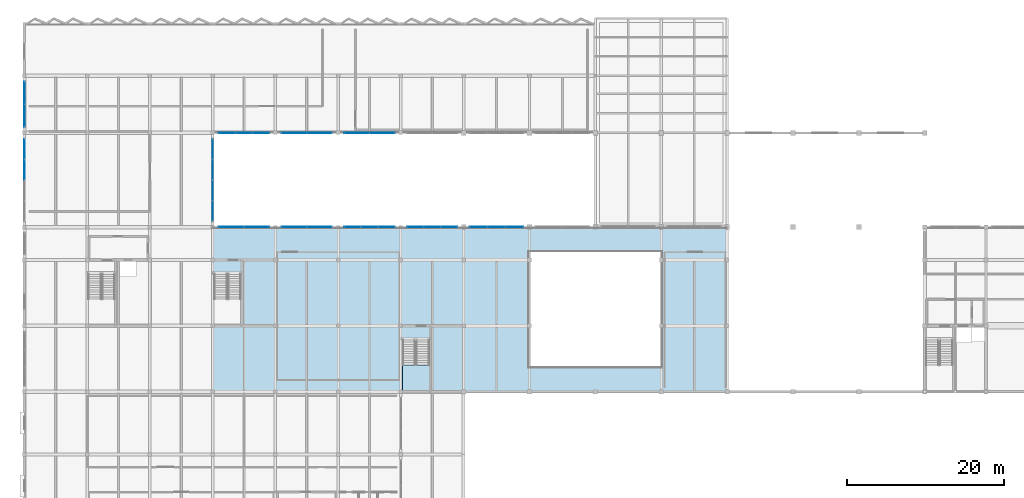
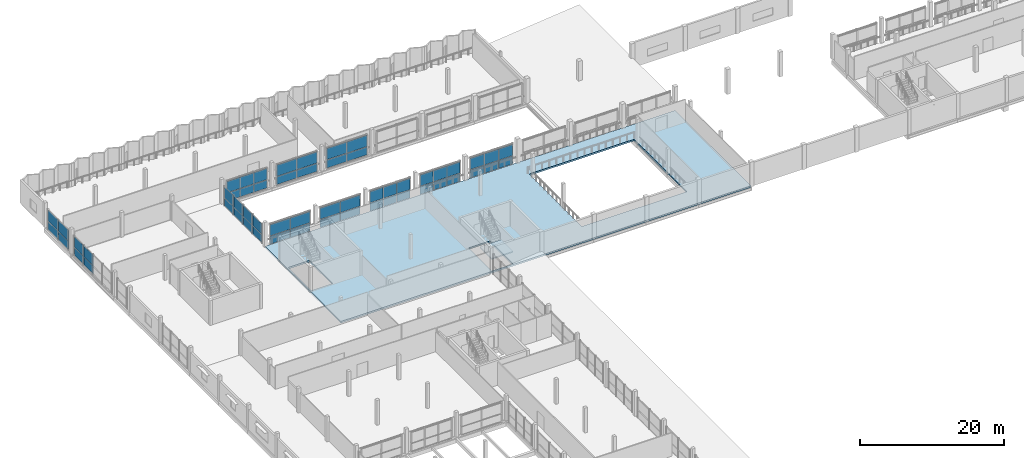
# One storey, part 34 of 53: 56 plates, 2 slabs, 12 elements without a shape of their own.
"""IFC4 building model written with IfcOpenShell, lengths in metres."""

from ifc_helpers import new_model, si_unit, direction, frame, origin, origin_2d, place, context, subcontext, project, spatial, polyline, rectangle, outline, extrude, material, layer, layer_set, type_object, element, aggregate, save


model = new_model("IFC4")

# Units and contexts
model_context = context("Model", 3, precision=1e-05, world=origin(), true_north=direction((0.0, 1.0)))
body_context = subcontext(model_context, "Body", "Model", "MODEL_VIEW")
ifc_project = project(units=[si_unit("LENGTHUNIT", "METRE"), si_unit("AREAUNIT", "SQUARE_METRE"), si_unit("VOLUMEUNIT", "CUBIC_METRE"), si_unit("PLANEANGLEUNIT", "RADIAN"), si_unit("MASSUNIT", "GRAM", prefix="KILO")], contexts=[model_context])

# Site, building, storey
site_placement = place(None, origin())
site = spatial("IfcSite", under=ifc_project, at=site_placement, CompositionType="ELEMENT")
building_placement = place(site_placement, origin())
building = spatial("IfcBuilding", under=site, at=building_placement, Name="Vharandega Faculty of Natural Sciences", CompositionType="ELEMENT")
storey_placement = place(building_placement, frame((0.0, 0.0, 10.199951171875)))
storey = spatial("IfcBuildingStorey", under=building, at=storey_placement, Name="L02", CompositionType="ELEMENT", Elevation=10.199951171875)

# Curtain wall, plates
ifc_material_1 = material(Name="Aluminium and solar-control glass curtain wall", Category="aluminium")
curtain_wall_type_1 = type_object("IfcCurtainWallType", Name="Unitised Curtain Wall System CW-27", PredefinedType="NOTDEFINED", material=ifc_material_1)
curtain_wall_1_placement = place(storey_placement, origin())
curtain_wall_1 = element("IfcCurtainWall", 1, at=curtain_wall_1_placement, inside=storey, type_object=curtain_wall_type_1, Name="Curtain Wall CW-L02-054", PredefinedType="NOTDEFINED")
ifc_material_2 = material(Name="Double-glazed low-E solar glass", Category="glass")
ifc_layer_1 = layer(ifc_material_2, 0.028076171875, Name="Double-glazed low-E solar glass")
ifc_layer_set_1 = layer_set([ifc_layer_1], Name="Double-glazed low-E solar glass")
plate_type = type_object("IfcPlateType", Name="CW Solar Vision Panel 28mm", PredefinedType="CURTAIN_PANEL", material=ifc_layer_set_1)
plate_1_placement = place(storey_placement, frame((0.0, 92.31494140625, 0.06005859375), z_axis=(0.0, 0.0, 1.0), x_axis=(0.0, 1.0, 0.0)))
plate_1 = element("IfcPlate", 2, at=plate_1_placement, type_object=plate_type, Name="CW-27 panel 3.1", PredefinedType="CURTAIN_PANEL", context=body_context, shape_type="SweptSolid", body=[
    extrude(rectangle(XDim=2.570068359375, YDim=0.028076171875, at=origin_2d()), origin(), (0.0, 0.0, 1.0), 1.30029296875),
])
plate_2_placement = place(storey_placement, frame((0.0, 92.31494140625, 1.42041015625), z_axis=(0.0, 0.0, 1.0), x_axis=(0.0, 1.0, 0.0)))
plate_2 = element("IfcPlate", 3, at=plate_2_placement, type_object=plate_type, Name="CW-27 panel 3.2", PredefinedType="CURTAIN_PANEL", context=body_context, shape_type="SweptSolid", body=[
    extrude(rectangle(XDim=2.570068359375, YDim=0.028076171875, at=origin_2d()), origin(), (0.0, 0.0, 1.0), 1.829833984375),
])
plate_3_placement = place(storey_placement, frame((0.0, 94.929931640625, 0.06005859375), z_axis=(0.0, 0.0, 1.0), x_axis=(0.0, 1.0, 0.0)))
plate_3 = element("IfcPlate", 4, at=plate_3_placement, type_object=plate_type, Name="CW-27 panel 4.1", PredefinedType="CURTAIN_PANEL", context=body_context, shape_type="SweptSolid", body=[
    extrude(rectangle(XDim=2.5400390625, YDim=0.028076171875, at=origin_2d()), origin(), (0.0, 0.0, 1.0), 1.30029296875),
])
plate_4_placement = place(storey_placement, frame((0.0, 94.929931640625, 1.42041015625), z_axis=(0.0, 0.0, 1.0), x_axis=(0.0, 1.0, 0.0)))
plate_4 = element("IfcPlate", 5, at=plate_4_placement, type_object=plate_type, Name="CW-27 panel 4.2", PredefinedType="CURTAIN_PANEL", context=body_context, shape_type="SweptSolid", body=[
    extrude(rectangle(XDim=2.5400390625, YDim=0.028076171875, at=origin_2d()), origin(), (0.0, 0.0, 1.0), 1.829833984375),
])
aggregate(curtain_wall_1, [plate_1, plate_2, plate_3, plate_4])

ifc_material_3 = material(Name="Aluminium and solar-control glass curtain wall", Category="aluminium")
curtain_wall_type_2 = type_object("IfcCurtainWallType", Name="Unitised Curtain Wall System CW-28", PredefinedType="NOTDEFINED", material=ifc_material_3)
curtain_wall_2_placement = place(storey_placement, origin())
curtain_wall_2 = element("IfcCurtainWall", 6, at=curtain_wall_2_placement, inside=storey, type_object=curtain_wall_type_2, Name="Curtain Wall CW-L02-055", PredefinedType="NOTDEFINED")
plate_5_placement = place(storey_placement, frame((0.0, 99.2099609375, 0.06005859375), z_axis=(0.0, 0.0, 1.0), x_axis=(0.0, 1.0, 0.0)))
plate_5 = element("IfcPlate", 7, at=plate_5_placement, type_object=plate_type, Name="CW-28 panel 1.1", PredefinedType="CURTAIN_PANEL", context=body_context, shape_type="SweptSolid", body=[
    extrude(rectangle(XDim=2.820068359375, YDim=0.028076171875, at=origin_2d()), origin(), (0.0, 0.0, 1.0), 1.3212890625),
])
plate_6_placement = place(storey_placement, frame((0.0, 99.2099609375, 1.441162109375), z_axis=(0.0, 0.0, 1.0), x_axis=(0.0, 1.0, 0.0)))
plate_6 = element("IfcPlate", 8, at=plate_6_placement, type_object=plate_type, Name="CW-28 panel 1.2", PredefinedType="CURTAIN_PANEL", context=body_context, shape_type="SweptSolid", body=[
    extrude(rectangle(XDim=2.820068359375, YDim=0.028076171875, at=origin_2d()), origin(), (0.0, 0.0, 1.0), 1.85888671875),
])
plate_7_placement = place(storey_placement, frame((0.0, 102.090087890625, 0.06005859375), z_axis=(0.0, 0.0, 1.0), x_axis=(0.0, 1.0, 0.0)))
plate_7 = element("IfcPlate", 9, at=plate_7_placement, type_object=plate_type, Name="CW-28 panel 2.1", PredefinedType="CURTAIN_PANEL", context=body_context, shape_type="SweptSolid", body=[
    extrude(rectangle(XDim=2.820068359375, YDim=0.028076171875, at=origin_2d()), origin(), (0.0, 0.0, 1.0), 1.3212890625),
])
plate_8_placement = place(storey_placement, frame((0.0, 102.090087890625, 1.441162109375), z_axis=(0.0, 0.0, 1.0), x_axis=(0.0, 1.0, 0.0)))
plate_8 = element("IfcPlate", 10, at=plate_8_placement, type_object=plate_type, Name="CW-28 panel 2.2", PredefinedType="CURTAIN_PANEL", context=body_context, shape_type="SweptSolid", body=[
    extrude(rectangle(XDim=2.820068359375, YDim=0.028076171875, at=origin_2d()), origin(), (0.0, 0.0, 1.0), 1.85888671875),
])
aggregate(curtain_wall_2, [plate_5, plate_6, plate_7, plate_8])

ifc_material_4 = material(Name="Aluminium and solar-control glass curtain wall", Category="aluminium")
curtain_wall_type_3 = type_object("IfcCurtainWallType", Name="Unitised Curtain Wall System CW-01", PredefinedType="NOTDEFINED", material=ifc_material_4)
curtain_wall_3_placement = place(storey_placement, origin())
curtain_wall_3 = element("IfcCurtainWall", 11, at=curtain_wall_3_placement, inside=storey, type_object=curtain_wall_type_3, Name="Curtain Wall CW-L02-056", PredefinedType="NOTDEFINED")
plate_9_placement = place(storey_placement, frame((25.841552734375, 97.0, 0.06005859375), z_axis=(0.0, 0.0, 1.0), x_axis=(1.0, 0.0, 0.0)))
plate_9 = element("IfcPlate", 12, at=plate_9_placement, type_object=plate_type, Name="CW-01 panel 1.1", PredefinedType="CURTAIN_PANEL", context=body_context, shape_type="SweptSolid", body=[
    extrude(rectangle(XDim=2.083251953125, YDim=0.028076171875, at=origin_2d()), origin(), (0.0, 0.0, 1.0), 1.36328125),
])
plate_10_placement = place(storey_placement, frame((25.841552734375, 97.0, 1.4833984375), z_axis=(0.0, 0.0, 1.0), x_axis=(1.0, 0.0, 0.0)))
plate_10 = element("IfcPlate", 13, at=plate_10_placement, type_object=plate_type, Name="CW-01 panel 1.2", PredefinedType="CURTAIN_PANEL", context=body_context, shape_type="SweptSolid", body=[
    extrude(rectangle(XDim=2.083251953125, YDim=0.028076171875, at=origin_2d()), origin(), (0.0, 0.0, 1.0), 1.916748046875),
])
plate_11_placement = place(storey_placement, frame((28.0, 97.0, 0.06005859375), z_axis=(0.0, 0.0, 1.0), x_axis=(1.0, 0.0, 0.0)))
plate_11 = element("IfcPlate", 14, at=plate_11_placement, type_object=plate_type, Name="CW-01 panel 2.1", PredefinedType="CURTAIN_PANEL", context=body_context, shape_type="SweptSolid", body=[
    extrude(rectangle(XDim=2.11328125, YDim=0.028076171875, at=origin_2d()), origin(), (0.0, 0.0, 1.0), 1.36328125),
])
plate_12_placement = place(storey_placement, frame((28.0, 97.0, 1.4833984375), z_axis=(0.0, 0.0, 1.0), x_axis=(1.0, 0.0, 0.0)))
plate_12 = element("IfcPlate", 15, at=plate_12_placement, type_object=plate_type, Name="CW-01 panel 2.2", PredefinedType="CURTAIN_PANEL", context=body_context, shape_type="SweptSolid", body=[
    extrude(rectangle(XDim=2.11328125, YDim=0.028076171875, at=origin_2d()), origin(), (0.0, 0.0, 1.0), 1.916748046875),
])
plate_13_placement = place(storey_placement, frame((30.158447265625, 97.0, 0.06005859375), z_axis=(0.0, 0.0, 1.0), x_axis=(1.0, 0.0, 0.0)))
plate_13 = element("IfcPlate", 16, at=plate_13_placement, type_object=plate_type, Name="CW-01 panel 3.1", PredefinedType="CURTAIN_PANEL", context=body_context, shape_type="SweptSolid", body=[
    extrude(rectangle(XDim=2.083251953125, YDim=0.028076171875, at=origin_2d()), origin(), (0.0, 0.0, 1.0), 1.36328125),
])
plate_14_placement = place(storey_placement, frame((30.158447265625, 97.0, 1.4833984375), z_axis=(0.0, 0.0, 1.0), x_axis=(1.0, 0.0, 0.0)))
plate_14 = element("IfcPlate", 17, at=plate_14_placement, type_object=plate_type, Name="CW-01 panel 3.2", PredefinedType="CURTAIN_PANEL", context=body_context, shape_type="SweptSolid", body=[
    extrude(rectangle(XDim=2.083251953125, YDim=0.028076171875, at=origin_2d()), origin(), (0.0, 0.0, 1.0), 1.916748046875),
])
aggregate(curtain_wall_3, [plate_9, plate_10, plate_11, plate_12, plate_13, plate_14])

ifc_material_5 = material(Name="Aluminium and solar-control glass curtain wall", Category="aluminium")
curtain_wall_type_4 = type_object("IfcCurtainWallType", Name="Unitised Curtain Wall System CW-02", PredefinedType="NOTDEFINED", material=ifc_material_5)
curtain_wall_4_placement = place(storey_placement, origin())
curtain_wall_4 = element("IfcCurtainWall", 18, at=curtain_wall_4_placement, inside=storey, type_object=curtain_wall_type_4, Name="Curtain Wall CW-L02-057", PredefinedType="NOTDEFINED")
plate_15_placement = place(storey_placement, frame((34.385009765625, 97.0, 0.06005859375), z_axis=(0.0, 0.0, 1.0), x_axis=(1.0, 0.0, 0.0)))
plate_15 = element("IfcPlate", 19, at=plate_15_placement, type_object=plate_type, Name="CW-02 panel 1.1", PredefinedType="CURTAIN_PANEL", context=body_context, shape_type="SweptSolid", body=[
    extrude(rectangle(XDim=3.169921875, YDim=0.028076171875, at=origin_2d()), origin(), (0.0, 0.0, 1.0), 1.36328125),
])
plate_16_placement = place(storey_placement, frame((34.385009765625, 97.0, 1.4833984375), z_axis=(0.0, 0.0, 1.0), x_axis=(1.0, 0.0, 0.0)))
plate_16 = element("IfcPlate", 20, at=plate_16_placement, type_object=plate_type, Name="CW-02 panel 1.2", PredefinedType="CURTAIN_PANEL", context=body_context, shape_type="SweptSolid", body=[
    extrude(rectangle(XDim=3.169921875, YDim=0.028076171875, at=origin_2d()), origin(), (0.0, 0.0, 1.0), 1.916748046875),
])
plate_17_placement = place(storey_placement, frame((37.614990234375, 97.0, 0.06005859375), z_axis=(0.0, 0.0, 1.0), x_axis=(1.0, 0.0, 0.0)))
plate_17 = element("IfcPlate", 21, at=plate_17_placement, type_object=plate_type, Name="CW-02 panel 2.1", PredefinedType="CURTAIN_PANEL", context=body_context, shape_type="SweptSolid", body=[
    extrude(rectangle(XDim=3.169921875, YDim=0.028076171875, at=origin_2d()), origin(), (0.0, 0.0, 1.0), 1.36328125),
])
plate_18_placement = place(storey_placement, frame((37.614990234375, 97.0, 1.4833984375), z_axis=(0.0, 0.0, 1.0), x_axis=(1.0, 0.0, 0.0)))
plate_18 = element("IfcPlate", 22, at=plate_18_placement, type_object=plate_type, Name="CW-02 panel 2.2", PredefinedType="CURTAIN_PANEL", context=body_context, shape_type="SweptSolid", body=[
    extrude(rectangle(XDim=3.169921875, YDim=0.028076171875, at=origin_2d()), origin(), (0.0, 0.0, 1.0), 1.916748046875),
])
aggregate(curtain_wall_4, [plate_15, plate_16, plate_17, plate_18])

ifc_material_6 = material(Name="Aluminium and solar-control glass curtain wall", Category="aluminium")
curtain_wall_type_5 = type_object("IfcCurtainWallType", Name="Unitised Curtain Wall System CW-03", PredefinedType="NOTDEFINED", material=ifc_material_6)
curtain_wall_5_placement = place(storey_placement, origin())
curtain_wall_5 = element("IfcCurtainWall", 23, at=curtain_wall_5_placement, inside=storey, type_object=curtain_wall_type_5, Name="Curtain Wall CW-L02-058", PredefinedType="NOTDEFINED")
plate_19_placement = place(storey_placement, frame((42.385009765625, 97.0, 0.06005859375), z_axis=(0.0, 0.0, 1.0), x_axis=(1.0, 0.0, 0.0)))
plate_19 = element("IfcPlate", 24, at=plate_19_placement, type_object=plate_type, Name="CW-03 panel 1.1", PredefinedType="CURTAIN_PANEL", context=body_context, shape_type="SweptSolid", body=[
    extrude(rectangle(XDim=3.169921875, YDim=0.028076171875, at=origin_2d()), origin(), (0.0, 0.0, 1.0), 1.36328125),
])
plate_20_placement = place(storey_placement, frame((42.385009765625, 97.0, 1.4833984375), z_axis=(0.0, 0.0, 1.0), x_axis=(1.0, 0.0, 0.0)))
plate_20 = element("IfcPlate", 25, at=plate_20_placement, type_object=plate_type, Name="CW-03 panel 1.2", PredefinedType="CURTAIN_PANEL", context=body_context, shape_type="SweptSolid", body=[
    extrude(rectangle(XDim=3.169921875, YDim=0.028076171875, at=origin_2d()), origin(), (0.0, 0.0, 1.0), 1.916748046875),
])
plate_21_placement = place(storey_placement, frame((45.614990234375, 97.0, 0.06005859375), z_axis=(0.0, 0.0, 1.0), x_axis=(1.0, 0.0, 0.0)))
plate_21 = element("IfcPlate", 26, at=plate_21_placement, type_object=plate_type, Name="CW-03 panel 2.1", PredefinedType="CURTAIN_PANEL", context=body_context, shape_type="SweptSolid", body=[
    extrude(rectangle(XDim=3.169921875, YDim=0.028076171875, at=origin_2d()), origin(), (0.0, 0.0, 1.0), 1.36328125),
])
plate_22_placement = place(storey_placement, frame((45.614990234375, 97.0, 1.4833984375), z_axis=(0.0, 0.0, 1.0), x_axis=(1.0, 0.0, 0.0)))
plate_22 = element("IfcPlate", 27, at=plate_22_placement, type_object=plate_type, Name="CW-03 panel 2.2", PredefinedType="CURTAIN_PANEL", context=body_context, shape_type="SweptSolid", body=[
    extrude(rectangle(XDim=3.169921875, YDim=0.028076171875, at=origin_2d()), origin(), (0.0, 0.0, 1.0), 1.916748046875),
])
aggregate(curtain_wall_5, [plate_19, plate_20, plate_21, plate_22])

ifc_material_7 = material(Name="Aluminium and solar-control glass curtain wall", Category="aluminium")
curtain_wall_type_6 = type_object("IfcCurtainWallType", Name="Unitised Curtain Wall System CW-07", PredefinedType="NOTDEFINED", material=ifc_material_7)
curtain_wall_6_placement = place(storey_placement, origin())
curtain_wall_6 = element("IfcCurtainWall", 28, at=curtain_wall_6_placement, inside=storey, type_object=curtain_wall_type_6, Name="Curtain Wall CW-L02-062", PredefinedType="NOTDEFINED")
plate_23_placement = place(storey_placement, frame((24.0, 87.070068359375, 0.06005859375), z_axis=(0.0, 0.0, 1.0), x_axis=(0.0, 1.0, 0.0)))
plate_23 = element("IfcPlate", 29, at=plate_23_placement, type_object=plate_type, Name="CW-07 panel 1.1", PredefinedType="CURTAIN_PANEL", context=body_context, shape_type="SweptSolid", body=[
    extrude(rectangle(XDim=2.5400390625, YDim=0.028076171875, at=origin_2d()), origin(), (0.0, 0.0, 1.0), 1.30029296875),
])
plate_24_placement = place(storey_placement, frame((24.0, 87.070068359375, 1.42041015625), z_axis=(0.0, 0.0, 1.0), x_axis=(0.0, 1.0, 0.0)))
plate_24 = element("IfcPlate", 30, at=plate_24_placement, type_object=plate_type, Name="CW-07 panel 1.2", PredefinedType="CURTAIN_PANEL", context=body_context, shape_type="SweptSolid", body=[
    extrude(rectangle(XDim=2.5400390625, YDim=0.028076171875, at=origin_2d()), origin(), (0.0, 0.0, 1.0), 1.829833984375),
])
plate_25_placement = place(storey_placement, frame((24.0, 89.68505859375, 0.06005859375), z_axis=(0.0, 0.0, 1.0), x_axis=(0.0, 1.0, 0.0)))
plate_25 = element("IfcPlate", 31, at=plate_25_placement, type_object=plate_type, Name="CW-07 panel 2.1", PredefinedType="CURTAIN_PANEL", context=body_context, shape_type="SweptSolid", body=[
    extrude(rectangle(XDim=2.570068359375, YDim=0.028076171875, at=origin_2d()), origin(), (0.0, 0.0, 1.0), 1.30029296875),
])
plate_26_placement = place(storey_placement, frame((24.0, 89.68505859375, 1.42041015625), z_axis=(0.0, 0.0, 1.0), x_axis=(0.0, 1.0, 0.0)))
plate_26 = element("IfcPlate", 32, at=plate_26_placement, type_object=plate_type, Name="CW-07 panel 2.2", PredefinedType="CURTAIN_PANEL", context=body_context, shape_type="SweptSolid", body=[
    extrude(rectangle(XDim=2.570068359375, YDim=0.028076171875, at=origin_2d()), origin(), (0.0, 0.0, 1.0), 1.829833984375),
])
plate_27_placement = place(storey_placement, frame((24.0, 92.31494140625, 0.06005859375), z_axis=(0.0, 0.0, 1.0), x_axis=(0.0, 1.0, 0.0)))
plate_27 = element("IfcPlate", 33, at=plate_27_placement, type_object=plate_type, Name="CW-07 panel 3.1", PredefinedType="CURTAIN_PANEL", context=body_context, shape_type="SweptSolid", body=[
    extrude(rectangle(XDim=2.570068359375, YDim=0.028076171875, at=origin_2d()), origin(), (0.0, 0.0, 1.0), 1.30029296875),
])
plate_28_placement = place(storey_placement, frame((24.0, 92.31494140625, 1.42041015625), z_axis=(0.0, 0.0, 1.0), x_axis=(0.0, 1.0, 0.0)))
plate_28 = element("IfcPlate", 34, at=plate_28_placement, type_object=plate_type, Name="CW-07 panel 3.2", PredefinedType="CURTAIN_PANEL", context=body_context, shape_type="SweptSolid", body=[
    extrude(rectangle(XDim=2.570068359375, YDim=0.028076171875, at=origin_2d()), origin(), (0.0, 0.0, 1.0), 1.829833984375),
])
plate_29_placement = place(storey_placement, frame((24.0, 94.929931640625, 0.06005859375), z_axis=(0.0, 0.0, 1.0), x_axis=(0.0, 1.0, 0.0)))
plate_29 = element("IfcPlate", 35, at=plate_29_placement, type_object=plate_type, Name="CW-07 panel 4.1", PredefinedType="CURTAIN_PANEL", context=body_context, shape_type="SweptSolid", body=[
    extrude(rectangle(XDim=2.5400390625, YDim=0.028076171875, at=origin_2d()), origin(), (0.0, 0.0, 1.0), 1.30029296875),
])
plate_30_placement = place(storey_placement, frame((24.0, 94.929931640625, 1.42041015625), z_axis=(0.0, 0.0, 1.0), x_axis=(0.0, 1.0, 0.0)))
plate_30 = element("IfcPlate", 36, at=plate_30_placement, type_object=plate_type, Name="CW-07 panel 4.2", PredefinedType="CURTAIN_PANEL", context=body_context, shape_type="SweptSolid", body=[
    extrude(rectangle(XDim=2.5400390625, YDim=0.028076171875, at=origin_2d()), origin(), (0.0, 0.0, 1.0), 1.829833984375),
])
aggregate(curtain_wall_6, [plate_23, plate_24, plate_25, plate_26, plate_27, plate_28, plate_29, plate_30])

curtain_wall_7_placement = place(storey_placement, origin())
curtain_wall_7 = element("IfcCurtainWall", 37, at=curtain_wall_7_placement, inside=storey, type_object=curtain_wall_type_5, Name="Curtain Wall CW-L02-086", PredefinedType="NOTDEFINED")
plate_31_placement = place(storey_placement, frame((26.385009765625, 85.0, 0.06005859375), z_axis=(0.0, 0.0, 1.0), x_axis=(1.0, 0.0, 0.0)))
plate_31 = element("IfcPlate", 38, at=plate_31_placement, type_object=plate_type, Name="CW-03 panel 1.1", PredefinedType="CURTAIN_PANEL", context=body_context, shape_type="SweptSolid", body=[
    extrude(rectangle(XDim=3.169921875, YDim=0.028076171875, at=origin_2d()), origin(), (0.0, 0.0, 1.0), 1.36328125),
])
plate_32_placement = place(storey_placement, frame((26.385009765625, 85.0, 1.4833984375), z_axis=(0.0, 0.0, 1.0), x_axis=(1.0, 0.0, 0.0)))
plate_32 = element("IfcPlate", 39, at=plate_32_placement, type_object=plate_type, Name="CW-03 panel 1.2", PredefinedType="CURTAIN_PANEL", context=body_context, shape_type="SweptSolid", body=[
    extrude(rectangle(XDim=3.169921875, YDim=0.028076171875, at=origin_2d()), origin(), (0.0, 0.0, 1.0), 1.916748046875),
])
plate_33_placement = place(storey_placement, frame((29.614990234375, 85.0, 0.06005859375), z_axis=(0.0, 0.0, 1.0), x_axis=(1.0, 0.0, 0.0)))
plate_33 = element("IfcPlate", 40, at=plate_33_placement, type_object=plate_type, Name="CW-03 panel 2.1", PredefinedType="CURTAIN_PANEL", context=body_context, shape_type="SweptSolid", body=[
    extrude(rectangle(XDim=3.169921875, YDim=0.028076171875, at=origin_2d()), origin(), (0.0, 0.0, 1.0), 1.36328125),
])
plate_34_placement = place(storey_placement, frame((29.614990234375, 85.0, 1.4833984375), z_axis=(0.0, 0.0, 1.0), x_axis=(1.0, 0.0, 0.0)))
plate_34 = element("IfcPlate", 41, at=plate_34_placement, type_object=plate_type, Name="CW-03 panel 2.2", PredefinedType="CURTAIN_PANEL", context=body_context, shape_type="SweptSolid", body=[
    extrude(rectangle(XDim=3.169921875, YDim=0.028076171875, at=origin_2d()), origin(), (0.0, 0.0, 1.0), 1.916748046875),
])
aggregate(curtain_wall_7, [plate_31, plate_32, plate_33, plate_34])

ifc_material_8 = material(Name="Aluminium and solar-control glass curtain wall", Category="aluminium")
curtain_wall_type_7 = type_object("IfcCurtainWallType", Name="Unitised Curtain Wall System CW-04", PredefinedType="NOTDEFINED", material=ifc_material_8)
curtain_wall_8_placement = place(storey_placement, origin())
curtain_wall_8 = element("IfcCurtainWall", 42, at=curtain_wall_8_placement, inside=storey, type_object=curtain_wall_type_7, Name="Curtain Wall CW-L02-087", PredefinedType="NOTDEFINED")
plate_35_placement = place(storey_placement, frame((34.385009765625, 85.0, 0.06005859375), z_axis=(0.0, 0.0, 1.0), x_axis=(1.0, 0.0, 0.0)))
plate_35 = element("IfcPlate", 43, at=plate_35_placement, type_object=plate_type, Name="CW-04 panel 1.1", PredefinedType="CURTAIN_PANEL", context=body_context, shape_type="SweptSolid", body=[
    extrude(rectangle(XDim=3.169921875, YDim=0.028076171875, at=origin_2d()), origin(), (0.0, 0.0, 1.0), 1.36328125),
])
plate_36_placement = place(storey_placement, frame((34.385009765625, 85.0, 1.4833984375), z_axis=(0.0, 0.0, 1.0), x_axis=(1.0, 0.0, 0.0)))
plate_36 = element("IfcPlate", 44, at=plate_36_placement, type_object=plate_type, Name="CW-04 panel 1.2", PredefinedType="CURTAIN_PANEL", context=body_context, shape_type="SweptSolid", body=[
    extrude(rectangle(XDim=3.169921875, YDim=0.028076171875, at=origin_2d()), origin(), (0.0, 0.0, 1.0), 1.916748046875),
])
plate_37_placement = place(storey_placement, frame((37.614990234375, 85.0, 0.06005859375), z_axis=(0.0, 0.0, 1.0), x_axis=(1.0, 0.0, 0.0)))
plate_37 = element("IfcPlate", 45, at=plate_37_placement, type_object=plate_type, Name="CW-04 panel 2.1", PredefinedType="CURTAIN_PANEL", context=body_context, shape_type="SweptSolid", body=[
    extrude(rectangle(XDim=3.169921875, YDim=0.028076171875, at=origin_2d()), origin(), (0.0, 0.0, 1.0), 1.36328125),
])
plate_38_placement = place(storey_placement, frame((37.614990234375, 85.0, 1.4833984375), z_axis=(0.0, 0.0, 1.0), x_axis=(1.0, 0.0, 0.0)))
plate_38 = element("IfcPlate", 46, at=plate_38_placement, type_object=plate_type, Name="CW-04 panel 2.2", PredefinedType="CURTAIN_PANEL", context=body_context, shape_type="SweptSolid", body=[
    extrude(rectangle(XDim=3.169921875, YDim=0.028076171875, at=origin_2d()), origin(), (0.0, 0.0, 1.0), 1.916748046875),
])
aggregate(curtain_wall_8, [plate_35, plate_36, plate_37, plate_38])

ifc_material_9 = material(Name="Aluminium and solar-control glass curtain wall", Category="aluminium")
curtain_wall_type_8 = type_object("IfcCurtainWallType", Name="Unitised Curtain Wall System CW-05", PredefinedType="NOTDEFINED", material=ifc_material_9)
curtain_wall_9_placement = place(storey_placement, origin())
curtain_wall_9 = element("IfcCurtainWall", 47, at=curtain_wall_9_placement, inside=storey, type_object=curtain_wall_type_8, Name="Curtain Wall CW-L02-088", PredefinedType="NOTDEFINED")
plate_39_placement = place(storey_placement, frame((41.841552734375, 85.0, 0.06005859375), z_axis=(0.0, 0.0, 1.0), x_axis=(1.0, 0.0, 0.0)))
plate_39 = element("IfcPlate", 48, at=plate_39_placement, type_object=plate_type, Name="CW-05 panel 1.1", PredefinedType="CURTAIN_PANEL", context=body_context, shape_type="SweptSolid", body=[
    extrude(rectangle(XDim=2.083251953125, YDim=0.028076171875, at=origin_2d()), origin(), (0.0, 0.0, 1.0), 1.36328125),
])
plate_40_placement = place(storey_placement, frame((41.841552734375, 85.0, 1.4833984375), z_axis=(0.0, 0.0, 1.0), x_axis=(1.0, 0.0, 0.0)))
plate_40 = element("IfcPlate", 49, at=plate_40_placement, type_object=plate_type, Name="CW-05 panel 1.2", PredefinedType="CURTAIN_PANEL", context=body_context, shape_type="SweptSolid", body=[
    extrude(rectangle(XDim=2.083251953125, YDim=0.028076171875, at=origin_2d()), origin(), (0.0, 0.0, 1.0), 1.916748046875),
])
plate_41_placement = place(storey_placement, frame((44.0, 85.0, 0.06005859375), z_axis=(0.0, 0.0, 1.0), x_axis=(1.0, 0.0, 0.0)))
plate_41 = element("IfcPlate", 50, at=plate_41_placement, type_object=plate_type, Name="CW-05 panel 2.1", PredefinedType="CURTAIN_PANEL", context=body_context, shape_type="SweptSolid", body=[
    extrude(rectangle(XDim=2.11328125, YDim=0.028076171875, at=origin_2d()), origin(), (0.0, 0.0, 1.0), 1.36328125),
])
plate_42_placement = place(storey_placement, frame((44.0, 85.0, 1.4833984375), z_axis=(0.0, 0.0, 1.0), x_axis=(1.0, 0.0, 0.0)))
plate_42 = element("IfcPlate", 51, at=plate_42_placement, type_object=plate_type, Name="CW-05 panel 2.2", PredefinedType="CURTAIN_PANEL", context=body_context, shape_type="SweptSolid", body=[
    extrude(rectangle(XDim=2.11328125, YDim=0.028076171875, at=origin_2d()), origin(), (0.0, 0.0, 1.0), 1.916748046875),
])
plate_43_placement = place(storey_placement, frame((46.158447265625, 85.0, 0.06005859375), z_axis=(0.0, 0.0, 1.0), x_axis=(1.0, 0.0, 0.0)))
plate_43 = element("IfcPlate", 52, at=plate_43_placement, type_object=plate_type, Name="CW-05 panel 3.1", PredefinedType="CURTAIN_PANEL", context=body_context, shape_type="SweptSolid", body=[
    extrude(rectangle(XDim=2.083251953125, YDim=0.028076171875, at=origin_2d()), origin(), (0.0, 0.0, 1.0), 1.36328125),
])
plate_44_placement = place(storey_placement, frame((46.158447265625, 85.0, 1.4833984375), z_axis=(0.0, 0.0, 1.0), x_axis=(1.0, 0.0, 0.0)))
plate_44 = element("IfcPlate", 53, at=plate_44_placement, type_object=plate_type, Name="CW-05 panel 3.2", PredefinedType="CURTAIN_PANEL", context=body_context, shape_type="SweptSolid", body=[
    extrude(rectangle(XDim=2.083251953125, YDim=0.028076171875, at=origin_2d()), origin(), (0.0, 0.0, 1.0), 1.916748046875),
])
aggregate(curtain_wall_9, [plate_39, plate_40, plate_41, plate_42, plate_43, plate_44])

ifc_material_10 = material(Name="Aluminium and solar-control glass curtain wall", Category="aluminium")
curtain_wall_type_9 = type_object("IfcCurtainWallType", Name="Unitised Curtain Wall System CW-06", PredefinedType="NOTDEFINED", material=ifc_material_10)
curtain_wall_10_placement = place(storey_placement, origin())
curtain_wall_10 = element("IfcCurtainWall", 54, at=curtain_wall_10_placement, inside=storey, type_object=curtain_wall_type_9, Name="Curtain Wall CW-L02-089", PredefinedType="NOTDEFINED")
plate_45_placement = place(storey_placement, frame((49.841552734375, 85.0, 0.06005859375), z_axis=(0.0, 0.0, 1.0), x_axis=(1.0, 0.0, 0.0)))
plate_45 = element("IfcPlate", 55, at=plate_45_placement, type_object=plate_type, Name="CW-06 panel 1.1", PredefinedType="CURTAIN_PANEL", context=body_context, shape_type="SweptSolid", body=[
    extrude(rectangle(XDim=2.083251953125, YDim=0.028076171875, at=origin_2d()), origin(), (0.0, 0.0, 1.0), 1.36328125),
])
plate_46_placement = place(storey_placement, frame((49.841552734375, 85.0, 1.4833984375), z_axis=(0.0, 0.0, 1.0), x_axis=(1.0, 0.0, 0.0)))
plate_46 = element("IfcPlate", 56, at=plate_46_placement, type_object=plate_type, Name="CW-06 panel 1.2", PredefinedType="CURTAIN_PANEL", context=body_context, shape_type="SweptSolid", body=[
    extrude(rectangle(XDim=2.083251953125, YDim=0.028076171875, at=origin_2d()), origin(), (0.0, 0.0, 1.0), 1.916748046875),
])
plate_47_placement = place(storey_placement, frame((52.0, 85.0, 0.06005859375), z_axis=(0.0, 0.0, 1.0), x_axis=(1.0, 0.0, 0.0)))
plate_47 = element("IfcPlate", 57, at=plate_47_placement, type_object=plate_type, Name="CW-06 panel 2.1", PredefinedType="CURTAIN_PANEL", context=body_context, shape_type="SweptSolid", body=[
    extrude(rectangle(XDim=2.11328125, YDim=0.028076171875, at=origin_2d()), origin(), (0.0, 0.0, 1.0), 1.36328125),
])
plate_48_placement = place(storey_placement, frame((52.0, 85.0, 1.4833984375), z_axis=(0.0, 0.0, 1.0), x_axis=(1.0, 0.0, 0.0)))
plate_48 = element("IfcPlate", 58, at=plate_48_placement, type_object=plate_type, Name="CW-06 panel 2.2", PredefinedType="CURTAIN_PANEL", context=body_context, shape_type="SweptSolid", body=[
    extrude(rectangle(XDim=2.11328125, YDim=0.028076171875, at=origin_2d()), origin(), (0.0, 0.0, 1.0), 1.916748046875),
])
plate_49_placement = place(storey_placement, frame((54.158447265625, 85.0, 0.06005859375), z_axis=(0.0, 0.0, 1.0), x_axis=(1.0, 0.0, 0.0)))
plate_49 = element("IfcPlate", 59, at=plate_49_placement, type_object=plate_type, Name="CW-06 panel 3.1", PredefinedType="CURTAIN_PANEL", context=body_context, shape_type="SweptSolid", body=[
    extrude(rectangle(XDim=2.083251953125, YDim=0.028076171875, at=origin_2d()), origin(), (0.0, 0.0, 1.0), 1.36328125),
])
plate_50_placement = place(storey_placement, frame((54.158447265625, 85.0, 1.4833984375), z_axis=(0.0, 0.0, 1.0), x_axis=(1.0, 0.0, 0.0)))
plate_50 = element("IfcPlate", 60, at=plate_50_placement, type_object=plate_type, Name="CW-06 panel 3.2", PredefinedType="CURTAIN_PANEL", context=body_context, shape_type="SweptSolid", body=[
    extrude(rectangle(XDim=2.083251953125, YDim=0.028076171875, at=origin_2d()), origin(), (0.0, 0.0, 1.0), 1.916748046875),
])
aggregate(curtain_wall_10, [plate_45, plate_46, plate_47, plate_48, plate_49, plate_50])

curtain_wall_11_placement = place(storey_placement, origin())
curtain_wall_11 = element("IfcCurtainWall", 61, at=curtain_wall_11_placement, inside=storey, type_object=curtain_wall_type_6, Name="Curtain Wall CW-L02-090", PredefinedType="NOTDEFINED")
plate_51_placement = place(storey_placement, frame((57.908447265625, 85.0, 0.06005859375), z_axis=(0.0, 0.0, 1.0), x_axis=(1.0, 0.0, 0.0)))
plate_51 = element("IfcPlate", 62, at=plate_51_placement, type_object=plate_type, Name="CW-07 panel 1.1", PredefinedType="CURTAIN_PANEL", context=body_context, shape_type="SweptSolid", body=[
    extrude(rectangle(XDim=2.216552734375, YDim=0.028076171875, at=origin_2d()), origin(), (0.0, 0.0, 1.0), 1.36328125),
])
plate_52_placement = place(storey_placement, frame((57.908447265625, 85.0, 1.4833984375), z_axis=(0.0, 0.0, 1.0), x_axis=(1.0, 0.0, 0.0)))
plate_52 = element("IfcPlate", 63, at=plate_52_placement, type_object=plate_type, Name="CW-07 panel 1.2", PredefinedType="CURTAIN_PANEL", context=body_context, shape_type="SweptSolid", body=[
    extrude(rectangle(XDim=2.216552734375, YDim=0.028076171875, at=origin_2d()), origin(), (0.0, 0.0, 1.0), 1.916748046875),
])
plate_53_placement = place(storey_placement, frame((60.199951171875, 85.0, 0.06005859375), z_axis=(0.0, 0.0, 1.0), x_axis=(1.0, 0.0, 0.0)))
plate_53 = element("IfcPlate", 64, at=plate_53_placement, type_object=plate_type, Name="CW-07 panel 2.1", PredefinedType="CURTAIN_PANEL", context=body_context, shape_type="SweptSolid", body=[
    extrude(rectangle(XDim=2.24658203125, YDim=0.028076171875, at=origin_2d()), origin(), (0.0, 0.0, 1.0), 1.36328125),
])
plate_54_placement = place(storey_placement, frame((60.199951171875, 85.0, 1.4833984375), z_axis=(0.0, 0.0, 1.0), x_axis=(1.0, 0.0, 0.0)))
plate_54 = element("IfcPlate", 65, at=plate_54_placement, type_object=plate_type, Name="CW-07 panel 2.2", PredefinedType="CURTAIN_PANEL", context=body_context, shape_type="SweptSolid", body=[
    extrude(rectangle(XDim=2.24658203125, YDim=0.028076171875, at=origin_2d()), origin(), (0.0, 0.0, 1.0), 1.916748046875),
])
plate_55_placement = place(storey_placement, frame((62.49169921875, 85.0, 0.06005859375), z_axis=(0.0, 0.0, 1.0), x_axis=(1.0, 0.0, 0.0)))
plate_55 = element("IfcPlate", 66, at=plate_55_placement, type_object=plate_type, Name="CW-07 panel 3.1", PredefinedType="CURTAIN_PANEL", context=body_context, shape_type="SweptSolid", body=[
    extrude(rectangle(XDim=2.216552734375, YDim=0.028076171875, at=origin_2d()), origin(), (0.0, 0.0, 1.0), 1.36328125),
])
plate_56_placement = place(storey_placement, frame((62.49169921875, 85.0, 1.4833984375), z_axis=(0.0, 0.0, 1.0), x_axis=(1.0, 0.0, 0.0)))
plate_56 = element("IfcPlate", 67, at=plate_56_placement, type_object=plate_type, Name="CW-07 panel 3.2", PredefinedType="CURTAIN_PANEL", context=body_context, shape_type="SweptSolid", body=[
    extrude(rectangle(XDim=2.216552734375, YDim=0.028076171875, at=origin_2d()), origin(), (0.0, 0.0, 1.0), 1.916748046875),
])
aggregate(curtain_wall_11, [plate_51, plate_52, plate_53, plate_54, plate_55, plate_56])

# Slab
ifc_material_11 = material(Name="Concrete C40/50", Category="concrete")
ifc_layer_2 = layer(ifc_material_11, 0.280029296875, Name="Concrete C40/50")
ifc_layer_set_2 = layer_set([ifc_layer_2], Name="Concrete C40/50")
slab_type_1 = type_object("IfcSlabType", Name="SLAB-RC-280", PredefinedType="FLOOR", material=ifc_layer_set_2)
slab_1_placement = place(storey_placement, frame((0.0, 0.0, -0.280029296875)))
element("IfcSlab", 68, at=slab_1_placement, inside=storey, type_object=slab_type_1, Name="L02 V3 Floor Slab", PredefinedType="FLOOR", context=body_context, shape_type="SweptSolid", body=[
    extrude(outline(polyline([(24.0, 64.0), (89.60009765625, 64.0), (89.60009765625, 85.0), (24.0, 85.0), (24.0, 64.0)]), holes=[polyline([(64.39990234375, 67.199951171875), (81.199951171875, 67.199951171875), (81.199951171875, 81.800048828125), (64.39990234375, 81.800048828125), (64.39990234375, 67.199951171875)]), polyline([(48.199951171875, 70.544921875), (48.199951171875, 64.139892578125), (51.6201171875, 64.139892578125), (51.6201171875, 70.544921875), (48.199951171875, 70.544921875)]), polyline([(24.199951171875, 78.945068359375), (24.199951171875, 72.5400390625), (27.6201171875, 72.5400390625), (27.6201171875, 78.945068359375), (24.199951171875, 78.945068359375)])]), origin(), (0.0, 0.0, 1.0), 0.280029296875),
])

# Stair, slab
ifc_material_12 = material(Name="Concrete C40/50", Category="concrete")
stair_type = type_object("IfcStairType", Name="Escape Dog-Leg Stair W165 H420", PredefinedType="HALF_TURN_STAIR", material=ifc_material_12)
stair_placement = place(storey_placement, origin())
stair = element("IfcStair", 69, at=stair_placement, inside=storey, type_object=stair_type, Name="L02 Escape Stair ST5", PredefinedType="HALF_TURN_STAIR")
ifc_material_13 = material(Name="Concrete C40/50", Category="concrete")
ifc_layer_3 = layer(ifc_material_13, 0.199951171875, Name="Concrete C40/50")
ifc_layer_set_3 = layer_set([ifc_layer_3], Name="Concrete C40/50")
slab_type_2 = type_object("IfcSlabType", Name="Stair Half-Landing Slab 200", PredefinedType="LANDING", material=ifc_layer_set_3)
slab_2_placement = place(storey_placement, frame((0.0, 0.0, 1.900146484375)))
slab_2 = element("IfcSlab", 70, at=slab_2_placement, type_object=slab_type_2, Name="ST5 landing 1", PredefinedType="LANDING", context=body_context, shape_type="SweptSolid", body=[
    extrude(outline(polyline([(48.199951171875, 67.419921875), (48.199951171875, 64.139892578125), (51.6201171875, 64.139892578125), (51.6201171875, 67.419921875), (48.199951171875, 67.419921875)])), origin(), (0.0, 0.0, 1.0), 0.199951171875),
])
aggregate(stair, [slab_2])

save(model, "model.ifc")
